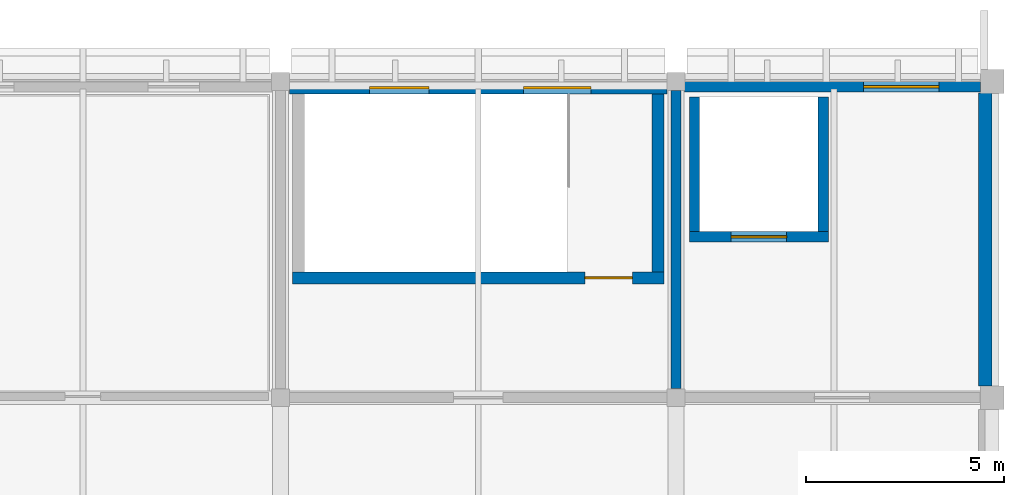
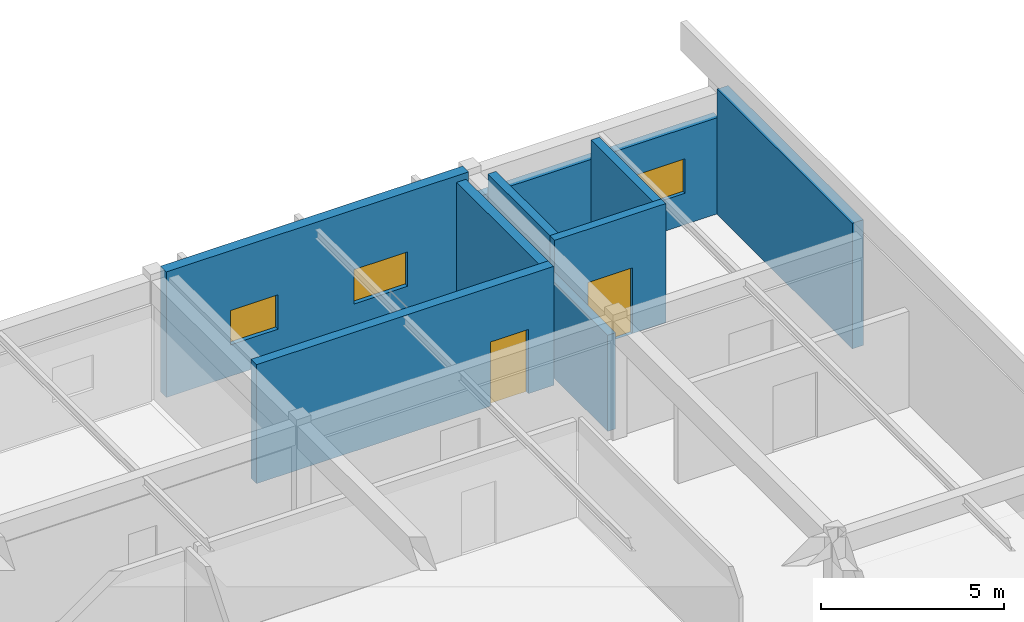
# One storey, part 15 of 16: 9 walls, 3 windows, 2 doors, 5 openings.
"""IFC4 building model written with IfcOpenShell, lengths in metres."""

from ifc_helpers import new_model, si_unit, direction, frame, frame_2d, origin, place, context, subcontext, project, spatial, rectangle, extrude, material, layer, layer_set, type_object, element, fill, save


model = new_model("IFC4")

# Units and contexts
model_context = context("Model", 3, precision=1e-05, world=origin(), true_north=direction((0.0, 1.0)))
body_context = subcontext(model_context, "Body", "Model", "MODEL_VIEW")
ifc_project = project(units=[si_unit("LENGTHUNIT", "METRE"), si_unit("AREAUNIT", "SQUARE_METRE"), si_unit("VOLUMEUNIT", "CUBIC_METRE"), si_unit("PLANEANGLEUNIT", "RADIAN"), si_unit("MASSUNIT", "GRAM", prefix="KILO")], contexts=[model_context])

# Site, building, storey
site_placement = place(None, origin())
site = spatial("IfcSite", under=ifc_project, at=site_placement, CompositionType="ELEMENT")
building_placement = place(site_placement, origin())
building = spatial("IfcBuilding", under=site, at=building_placement, Name="Kivolera Central Railway Station", CompositionType="ELEMENT")
storey_placement = place(building_placement, frame((0.0, 0.0, 27.0)))
storey = spatial("IfcBuildingStorey", under=building, at=storey_placement, Name="L06", CompositionType="ELEMENT", Elevation=27.0)

# Wall, opening, door
ifc_material_1 = material(Name="Concrete C40/50", Category="concrete")
ifc_layer_1 = layer(ifc_material_1, 0.300048828125, Name="Concrete C40/50")
ifc_layer_set_1 = layer_set([ifc_layer_1], Name="Concrete C40/50")
wall_type_1 = type_object("IfcWallType", Name="WL-CORE-300", PredefinedType="SHEAR", material=ifc_layer_set_1)
wall_1_placement = place(storey_placement, frame((187.699951171875, 129.030029296875, 0.0), z_axis=(0.0, 0.0, 1.0), x_axis=(-1.0, 0.0, 0.0)))
wall_1 = element("IfcWall", 1, at=wall_1_placement, inside=storey, type_object=wall_type_1, Name="L06 ST3 Core Right Shear Wall", PredefinedType="SHEAR", context=body_context, shape_type="SweptSolid", body=[
    extrude(rectangle(XDim=9.39990234375, YDim=0.300048828125, at=frame_2d((4.699951171875, 0.0))), origin(), (0.0, 0.0, 1.0), 3.97998046875),
])
opening_1_placement = place(wall_1_placement, frame((0.800048828125, 0.0, 0.0)))
opening_1 = element("IfcOpeningElement", 2, at=opening_1_placement, cuts=wall_1, Name="Opening D-STAIR-1200", PredefinedType="OPENING", context=body_context, shape_type="SweptSolid", body=[
    extrude(rectangle(XDim=1.199951171875, YDim=2.14990234375, at=frame_2d((0.60009765625, 1.074951171875))), frame((0.0, 0.159912109375, 0.0), z_axis=(0.0, -1.0, 0.0), x_axis=(1.0, 0.0, 0.0)), (0.0, 0.0, 1.0), 0.320068359375),
])
ifc_material_2 = material(Name="Hardwood mvule timber", Category="wood")
door_type_1 = type_object("IfcDoorType", Name="DR-D-STAIR-1200", OperationType="NOTDEFINED", PredefinedType="DOOR", material=ifc_material_2)
door_1_placement = place(opening_1_placement, origin())
door_1 = element("IfcDoor", 3, at=door_1_placement, inside=storey, type_object=door_type_1, Name="L06 ST3 Vestibule Fire Door", OperationType="SINGLE_SWING_LEFT", OverallHeight=2.14990234375, OverallWidth=1.199951171875, PredefinedType="DOOR", context=body_context, shape_type="SweptSolid", body=[
    extrude(rectangle(XDim=1.199951171875, YDim=2.14990234375, at=frame_2d((0.60009765625, 1.074951171875))), frame((0.0, 0.02490234375, 0.0), z_axis=(0.0, -1.0, 0.0), x_axis=(1.0, 0.0, 0.0)), (0.0, 0.0, 1.0), 0.050048828125),
])
fill(opening_1, door_1)

# Wall
wall_2_placement = place(storey_placement, frame((187.550048828125, 133.679931640625, 0.0), z_axis=(0.0, 0.0, 1.0), x_axis=(0.0, -1.0, 0.0)))
element("IfcWall", 4, at=wall_2_placement, inside=storey, type_object=wall_type_1, Name="L06 ST3 Core Near Shear Wall", PredefinedType="SHEAR", context=body_context, shape_type="SweptSolid", body=[
    extrude(rectangle(XDim=4.5, YDim=0.300048828125, at=frame_2d((2.25, 0.0))), origin(), (0.0, 0.0, 1.0), 3.97998046875),
])

# Wall, openings, windows
ifc_layer_2 = layer(ifc_material_1, 0.320068359375, Name="Concrete C40/50")
ifc_layer_set_2 = layer_set([ifc_layer_2], Name="Concrete C40/50")
wall_type_2 = type_object("IfcWallType", Name="WL-CORE-EXT-320", PredefinedType="SHEAR", material=ifc_layer_set_2)
wall_3_placement = place(storey_placement, frame((178.219970703125, 133.840087890625, 0.0), z_axis=(0.0, 0.0, 1.0), x_axis=(1.0, 0.0, 0.0)))
wall_3 = element("IfcWall", 5, at=wall_3_placement, inside=storey, type_object=wall_type_2, Name="L06 North Street Facade Wall Bay 7", PredefinedType="SHEAR", context=body_context, shape_type="SweptSolid", body=[
    extrude(rectangle(XDim=9.56005859375, YDim=0.320068359375, at=frame_2d((4.780029296875, 0.0))), origin(), (0.0, 0.0, 1.0), 4.199951171875),
])
opening_2_placement = place(wall_3_placement, frame((2.030029296875, 0.0, 1.050048828125)))
opening_2 = element("IfcOpeningElement", 6, at=opening_2_placement, cuts=wall_3, Name="Opening WN-04", PredefinedType="OPENING", context=body_context, shape_type="SweptSolid", body=[
    extrude(rectangle(XDim=1.5, YDim=1.14990234375, at=frame_2d((0.75, 0.574951171875))), frame((0.0, 0.169921875, 0.0), z_axis=(0.0, -1.0, 0.0), x_axis=(1.0, 0.0, 0.0)), (0.0, 0.0, 1.0), 0.340087890625),
])
opening_3_placement = place(wall_3_placement, frame((5.929931640625, 0.0, 1.050048828125)))
opening_3 = element("IfcOpeningElement", 7, at=opening_3_placement, cuts=wall_3, Name="Opening WN-05", PredefinedType="OPENING", context=body_context, shape_type="SweptSolid", body=[
    extrude(rectangle(XDim=1.699951171875, YDim=1.14990234375, at=frame_2d((0.85009765625, 0.574951171875))), frame((0.0, 0.169921875, 0.0), z_axis=(0.0, -1.0, 0.0), x_axis=(1.0, 0.0, 0.0)), (0.0, 0.0, 1.0), 0.340087890625),
])
ifc_material_3 = material(Name="Double low-E laminated glass", Category="glass")
window_type_1 = type_object("IfcWindowType", Name="WIN-WN-04", PartitioningType="SINGLE_PANEL", PredefinedType="WINDOW", material=ifc_material_3)
window_1_placement = place(opening_2_placement, origin())
window_1 = element("IfcWindow", 8, at=window_1_placement, inside=storey, type_object=window_type_1, Name="L06 North Street Window Bay 7.1", OverallHeight=1.14990234375, OverallWidth=1.5, PartitioningType="SINGLE_PANEL", PredefinedType="WINDOW", context=body_context, shape_type="SweptSolid", body=[
    extrude(rectangle(XDim=1.5, YDim=1.14990234375, at=frame_2d((0.75, 0.574951171875))), frame((0.0, 0.030029296875, 0.0), z_axis=(0.0, -1.0, 0.0), x_axis=(1.0, 0.0, 0.0)), (0.0, 0.0, 1.0), 0.06005859375),
])
fill(opening_2, window_1)
window_type_2 = type_object("IfcWindowType", Name="WIN-WN-05", PartitioningType="SINGLE_PANEL", PredefinedType="WINDOW", material=ifc_material_3)
window_2_placement = place(opening_3_placement, origin())
window_2 = element("IfcWindow", 9, at=window_2_placement, inside=storey, type_object=window_type_2, Name="L06 North Street Window Bay 7.2", OverallHeight=1.14990234375, OverallWidth=1.699951171875, PartitioningType="SINGLE_PANEL", PredefinedType="WINDOW", context=body_context, shape_type="SweptSolid", body=[
    extrude(rectangle(XDim=1.699951171875, YDim=1.14990234375, at=frame_2d((0.85009765625, 0.574951171875))), frame((0.0, 0.030029296875, 0.0), z_axis=(0.0, -1.0, 0.0), x_axis=(1.0, 0.0, 0.0)), (0.0, 0.0, 1.0), 0.06005859375),
])
fill(opening_3, window_2)

# Wall, opening, window
ifc_material_4 = material(Name="Swahili coral limestone", Category="masonry")
ifc_layer_3 = layer(ifc_material_4, 0.27001953125, Name="Swahili coral limestone")
ifc_layer_set_3 = layer_set([ifc_layer_3], Name="Swahili coral limestone")
wall_type_3 = type_object("IfcWallType", Name="WL-EXT-CORAL-270", PredefinedType="SOLIDWALL", material=ifc_layer_set_3)
wall_4_placement = place(storey_placement, frame((188.219970703125, 133.864990234375, 0.0), z_axis=(0.0, 0.0, 1.0), x_axis=(1.0, 0.0, 0.0)))
wall_4 = element("IfcWall", 10, at=wall_4_placement, inside=storey, type_object=wall_type_3, Name="L06 North Street Facade Wall Bay 8", PredefinedType="SOLIDWALL", context=body_context, shape_type="SweptSolid", body=[
    extrude(rectangle(XDim=7.485107421875, YDim=0.27001953125, at=frame_2d((3.74267578125, 0.0))), origin(), (0.0, 0.0, 1.0), 3.218017578125),
])
opening_4_placement = place(wall_4_placement, frame((4.530029296875, 0.0, 1.050048828125)))
opening_4 = element("IfcOpeningElement", 11, at=opening_4_placement, cuts=wall_4, Name="Opening WN-06", PredefinedType="OPENING", context=body_context, shape_type="SweptSolid", body=[
    extrude(rectangle(XDim=1.89990234375, YDim=1.14990234375, at=frame_2d((0.949951171875, 0.574951171875))), frame((0.0, 0.14501953125, 0.0), z_axis=(0.0, -1.0, 0.0), x_axis=(1.0, 0.0, 0.0)), (0.0, 0.0, 1.0), 0.2900390625),
])
window_type_3 = type_object("IfcWindowType", Name="WIN-WN-06", PartitioningType="SINGLE_PANEL", PredefinedType="WINDOW", material=ifc_material_3)
window_3_placement = place(opening_4_placement, origin())
window_3 = element("IfcWindow", 12, at=window_3_placement, inside=storey, type_object=window_type_3, Name="L06 North Street Window Bay 8.1", OverallHeight=1.14990234375, OverallWidth=1.89990234375, PartitioningType="SINGLE_PANEL", PredefinedType="WINDOW", context=body_context, shape_type="SweptSolid", body=[
    extrude(rectangle(XDim=1.89990234375, YDim=1.14990234375, at=frame_2d((0.949951171875, 0.574951171875))), frame((0.0, 0.030029296875, 0.0), z_axis=(0.0, -1.0, 0.0), x_axis=(1.0, 0.0, 0.0)), (0.0, 0.0, 1.0), 0.06005859375),
])
fill(opening_4, window_3)

# Walls
ifc_layer_4 = layer(ifc_material_1, 0.25, Name="Concrete C40/50")
ifc_layer_set_4 = layer_set([ifc_layer_4], Name="Concrete C40/50")
wall_type_4 = type_object("IfcWallType", Name="WL-FFL-250", PredefinedType="PARTITIONING", material=ifc_layer_set_4)
wall_5_placement = place(storey_placement, frame((188.0, 126.22998046875, 0.0), z_axis=(0.0, 0.0, 1.0), x_axis=(0.0, 1.0, 0.0)))
element("IfcWall", 13, at=wall_5_placement, inside=storey, type_object=wall_type_4, Name="L06 North Core Partition GRID-188", PredefinedType="PARTITIONING", context=body_context, shape_type="SweptSolid", body=[
    extrude(rectangle(XDim=7.5400390625, YDim=0.25, at=frame_2d((3.77001953125, 0.0))), origin(), (0.0, 0.0, 1.0), 3.218017578125),
])
ifc_layer_5 = layer(ifc_material_1, 0.35009765625, Name="Concrete C40/50")
ifc_layer_set_5 = layer_set([ifc_layer_5], Name="Concrete C40/50")
wall_type_5 = type_object("IfcWallType", Name="WL-PARTY-350", PredefinedType="SOLIDWALL", material=ifc_layer_set_5)
wall_6_placement = place(storey_placement, frame((195.824951171875, 133.705078125, 0.0), z_axis=(0.0, 0.0, 1.0), x_axis=(0.0, -1.0, 0.0)))
element("IfcWall", 14, at=wall_6_placement, inside=storey, type_object=wall_type_5, Name="L06 East Infill EI 120 Party Wall 126-134", PredefinedType="SOLIDWALL", context=body_context, shape_type="SweptSolid", body=[
    extrude(rectangle(XDim=7.41015625, YDim=0.35009765625, at=frame_2d((3.705078125, 0.0))), origin(), (0.0, 0.0, 1.0), 4.199951171875),
])

# Wall, opening, door
ifc_layer_6 = layer(ifc_material_1, 0.260009765625, Name="Concrete C40/50")
ifc_layer_set_6 = layer_set([ifc_layer_6], Name="Concrete C40/50")
wall_type_6 = type_object("IfcWallType", Name="WL-SHAFT-260", PredefinedType="SHEAR", material=ifc_layer_set_6)
wall_7_placement = place(storey_placement, frame((188.340087890625, 130.070068359375, 0.0), z_axis=(0.0, 0.0, 1.0), x_axis=(1.0, 0.0, 0.0)))
wall_7 = element("IfcWall", 15, at=wall_7_placement, inside=storey, type_object=wall_type_6, Name="L06 Lift GL1 Front Shaft Wall", PredefinedType="SHEAR", context=body_context, shape_type="SweptSolid", body=[
    extrude(rectangle(XDim=3.52001953125, YDim=0.260009765625, at=frame_2d((1.760009765625, 0.0))), origin(), (0.0, 0.0, 1.0), 3.97998046875),
])
opening_5_placement = place(wall_7_placement, frame((1.06005859375, 0.0, 0.0)))
opening_5 = element("IfcOpeningElement", 16, at=opening_5_placement, cuts=wall_7, Name="Opening LD-GDS-1400", PredefinedType="OPENING", context=body_context, shape_type="SweptSolid", body=[
    extrude(rectangle(XDim=1.39990234375, YDim=2.199951171875, at=frame_2d((0.699951171875, 1.10009765625))), frame((0.0, 0.139892578125, 0.0), z_axis=(0.0, -1.0, 0.0), x_axis=(1.0, 0.0, 0.0)), (0.0, 0.0, 1.0), 0.280029296875),
])
ifc_material_5 = material(Name="Anodised aluminium", Category="aluminium")
door_type_2 = type_object("IfcDoorType", Name="DR-LD-GDS-1400", OperationType="NOTDEFINED", PredefinedType="DOOR", material=ifc_material_5)
door_2_placement = place(opening_5_placement, origin())
door_2 = element("IfcDoor", 17, at=door_2_placement, inside=storey, type_object=door_type_2, Name="L06 Lift GL1 Sliding Landing Door", OperationType="SLIDING_TO_LEFT", OverallHeight=2.199951171875, OverallWidth=1.39990234375, PredefinedType="DOOR", context=body_context, shape_type="SweptSolid", body=[
    extrude(rectangle(XDim=1.39990234375, YDim=2.199951171875, at=frame_2d((0.699951171875, 1.10009765625))), frame((0.0, 0.02490234375, 0.0), z_axis=(0.0, -1.0, 0.0), x_axis=(1.0, 0.0, 0.0)), (0.0, 0.0, 1.0), 0.050048828125),
])
fill(opening_5, door_2)

# Walls
for number, where, z_axis, x_axis, name in (
    (18, (188.469970703125, 130.199951171875, 0.0), (0.0, 0.0, 1.0), (0.0, 1.0, 0.0), "L06 Lift GL1 West Shaft Wall"),
    (19, (191.72998046875, 130.199951171875, 0.0), (0.0, 0.0, 1.0), (0.0, 1.0, 0.0), "L06 Lift GL1 East Shaft Wall"),
):
    element("IfcWall", number, at=place(storey_placement, frame(where, z_axis=z_axis, x_axis=x_axis)), inside=storey, type_object=wall_type_6, Name=name, PredefinedType="SHEAR", context=body_context, shape_type="SweptSolid", body=[
        extrude(rectangle(XDim=3.400146484375, YDim=0.260009765625, at=frame_2d((1.7001953125, 0.0))), origin(), (0.0, 0.0, 1.0), 3.97998046875),
    ])

save(model, "model.ifc")
